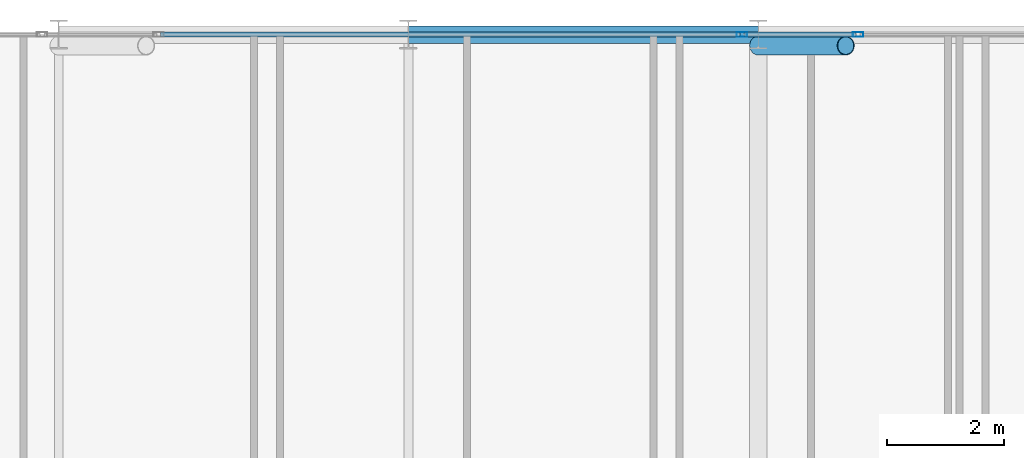
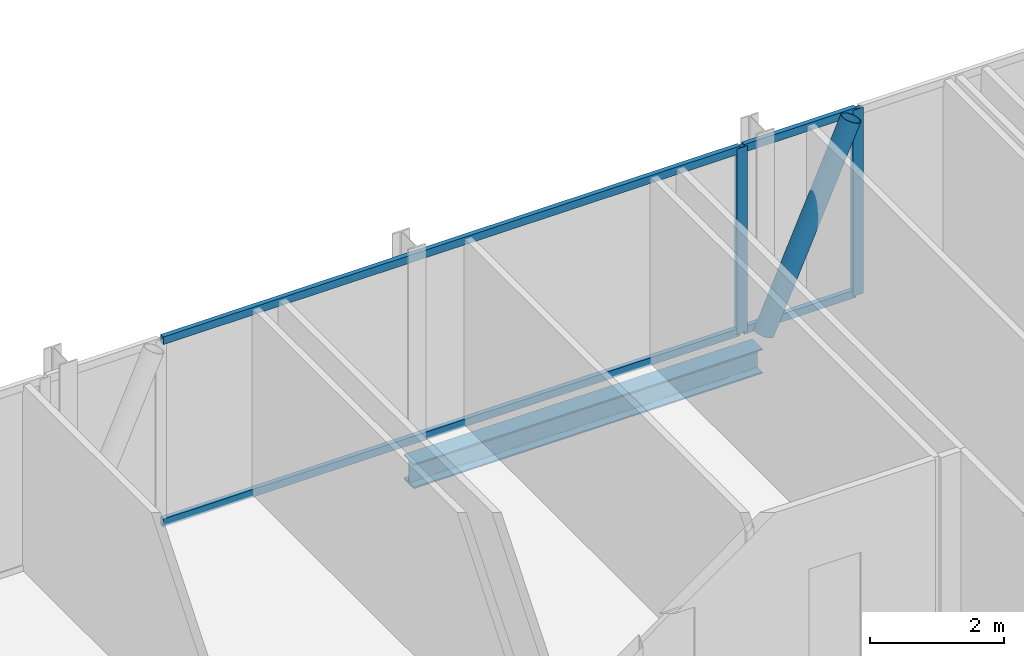
# One storey, part 18 of 32: 7 members, 1 beam, 2 elements without a shape of their own.
"""IFC4 building model written with IfcOpenShell, lengths in metres."""

from ifc_helpers import new_model, si_unit, direction, frame, origin, origin_2d, place, context, subcontext, project, spatial, hollow_rectangle, hollow_circle, i_section, extrude, material, layer, layer_set, material_profile, profile_set, type_object, element, aggregate, save


model = new_model("IFC4")

# Units and contexts
model_context = context("Model", 3, precision=1e-05, world=origin(), true_north=direction((0.0, 1.0)))
body_context = subcontext(model_context, "Body", "Model", "MODEL_VIEW")
ifc_project = project(units=[si_unit("LENGTHUNIT", "METRE"), si_unit("AREAUNIT", "SQUARE_METRE"), si_unit("VOLUMEUNIT", "CUBIC_METRE"), si_unit("PLANEANGLEUNIT", "RADIAN"), si_unit("MASSUNIT", "GRAM", prefix="KILO")], contexts=[model_context])

# Site, building, storey
site_placement = place(None, origin())
site = spatial("IfcSite", under=ifc_project, at=site_placement, CompositionType="ELEMENT")
building_placement = place(site_placement, origin())
building = spatial("IfcBuilding", under=site, at=building_placement, Name="Keshet Zoharim Tower", CompositionType="ELEMENT")
storey_placement = place(building_placement, frame((0.0, 0.0, 137.199951171875)))
storey = spatial("IfcBuildingStorey", under=building, at=storey_placement, Name="L33", CompositionType="ELEMENT", Elevation=137.199951171875)

# Beam
ifc_material_1 = material(Name="Steel S355", Category="steel")
ifc_material_profile_1 = material_profile(ifc_material_1, i_section(OverallWidth=0.300048828125, OverallDepth=0.449951171875, WebThickness=0.013916015625, FlangeThickness=0.02587890625, FilletRadius=0.027099609375, at=origin_2d()), Name="HEB450")
ifc_profile_set_1 = profile_set([ifc_material_profile_1], Name="Steel S355")
beam_type = type_object("IfcBeamType", Name="BM-WEB-HB450", PredefinedType="BEAM", material=ifc_profile_set_1)
beam_placement = place(storey_placement, frame((27.0, 53.89990234375, -0.5400390625), z_axis=(1.0, 0.0, 0.0), x_axis=(0.0, 1.0, 0.0)))
element("IfcBeam", 1, at=beam_placement, inside=storey, type_object=beam_type, Name="L33 Primary Girder X-021", PredefinedType="BEAM", context=body_context, shape_type="SweptSolid", body=[
    extrude(i_section(OverallWidth=0.300048828125, OverallDepth=0.449951171875, WebThickness=0.013916015625, FlangeThickness=0.02587890625, FilletRadius=0.027099609375, at=origin_2d()), origin(), (0.0, 0.0, 1.0), 6.0),
])

# Curtain wall, member
ifc_material_2 = material(Name="Aluminium 6063-T6", Category="aluminium")
ifc_layer = layer(ifc_material_2, 0.159912109375)
ifc_layer_set = layer_set([ifc_layer], Name="Aluminium 6063-T6")
curtain_wall_type = type_object("IfcCurtainWallType", Name="CW-SYS-03", PredefinedType="NOTDEFINED", material=ifc_layer_set)
curtain_wall_1_placement = place(storey_placement, origin())
curtain_wall_1 = element("IfcCurtainWall", 2, at=curtain_wall_1_placement, inside=storey, type_object=curtain_wall_type, Name="L33 Unitised Curtain Wall 13 Part 3", PredefinedType="NOTDEFINED")
ifc_material_profile_2 = material_profile(ifc_material_2, hollow_rectangle(XDim=0.080078125, YDim=0.179931640625, WallThickness=0.00439453125, at=origin_2d()), Name="MUL-80x180")
ifc_profile_set_2 = profile_set([ifc_material_profile_2], Name="Aluminium 6063-T6")
member_type_1 = type_object("IfcMemberType", Name="CWM-M18", PredefinedType="MULLION", material=ifc_profile_set_2)
member_1_placement = place(storey_placement, frame((32.716796875, 53.89990234375, 0.0), z_axis=(0.0, 0.0, 1.0), x_axis=(0.0, 1.0, 0.0)))
member_1 = element("IfcMember", 3, at=member_1_placement, type_object=member_type_1, Name="CW-03 mullion 2", PredefinedType="MULLION", context=body_context, shape_type="SweptSolid", body=[
    extrude(hollow_rectangle(XDim=0.080078125, YDim=0.179931640625, WallThickness=0.00439453125, at=origin_2d()), origin(), (0.0, 0.0, 1.0), 3.385009765625),
])

curtain_wall_2_placement = place(storey_placement, origin())
curtain_wall_2 = element("IfcCurtainWall", 4, at=curtain_wall_2_placement, inside=storey, type_object=curtain_wall_type, Name="L33 Unitised Curtain Wall 13 Part 4", PredefinedType="NOTDEFINED")
member_2_placement = place(storey_placement, frame((34.713134765625, 53.89990234375, 0.0), z_axis=(0.0, 0.0, 1.0), x_axis=(0.0, 1.0, 0.0)))
member_2 = element("IfcMember", 5, at=member_2_placement, type_object=member_type_1, Name="CW-03 mullion 2", PredefinedType="MULLION", context=body_context, shape_type="SweptSolid", body=[
    extrude(hollow_rectangle(XDim=0.080078125, YDim=0.179931640625, WallThickness=0.00439453125, at=origin_2d()), origin(), (0.0, 0.0, 1.0), 3.385009765625),
])

# Member
ifc_material_profile_3 = material_profile(ifc_material_2, hollow_rectangle(XDim=0.080078125, YDim=0.139892578125, WallThickness=0.00390625, at=origin_2d()), Name="TRN-80x140")
ifc_profile_set_3 = profile_set([ifc_material_profile_3], Name="Aluminium 6063-T6")
member_type_2 = type_object("IfcMemberType", Name="CWT-T14", PredefinedType="USERDEFINED", material=ifc_profile_set_3)
member_3_placement = place(storey_placement, frame((22.748046875, 53.89990234375, 0.03515625), z_axis=(1.0, 0.0, 0.0), x_axis=(0.0, 1.0, 0.0)))
member_3 = element("IfcMember", 6, at=member_3_placement, type_object=member_type_2, Name="CW-03 transom 1.1", ObjectType="TRANSOM", PredefinedType="USERDEFINED", context=body_context, shape_type="SweptSolid", body=[
    extrude(hollow_rectangle(XDim=0.080078125, YDim=0.139892578125, WallThickness=0.00390625, at=origin_2d()), origin(), (0.0, 0.0, 1.0), 9.933837890625),
])

member_4_placement = place(storey_placement, frame((22.748046875, 53.89990234375, 3.35009765625), z_axis=(1.0, 0.0, 0.0), x_axis=(0.0, 1.0, 0.0)))
member_4 = element("IfcMember", 7, at=member_4_placement, type_object=member_type_2, Name="CW-03 transom 1.2", ObjectType="TRANSOM", PredefinedType="USERDEFINED", context=body_context, shape_type="SweptSolid", body=[
    extrude(hollow_rectangle(XDim=0.080078125, YDim=0.139892578125, WallThickness=0.00390625, at=origin_2d()), origin(), (0.0, 0.0, 1.0), 9.933837890625),
])

aggregate(curtain_wall_1, [member_1, member_3, member_4])

member_5_placement = place(storey_placement, frame((32.751953125, 53.89990234375, 0.03515625), z_axis=(1.0, 0.0, 0.0), x_axis=(0.0, 1.0, 0.0)))
member_5 = element("IfcMember", 8, at=member_5_placement, type_object=member_type_2, Name="CW-03 transom 1.1", ObjectType="TRANSOM", PredefinedType="USERDEFINED", context=body_context, shape_type="SweptSolid", body=[
    extrude(hollow_rectangle(XDim=0.080078125, YDim=0.139892578125, WallThickness=0.00390625, at=origin_2d()), origin(), (0.0, 0.0, 1.0), 1.926025390625),
])

member_6_placement = place(storey_placement, frame((32.751953125, 53.89990234375, 3.35009765625), z_axis=(1.0, 0.0, 0.0), x_axis=(0.0, 1.0, 0.0)))
member_6 = element("IfcMember", 9, at=member_6_placement, type_object=member_type_2, Name="CW-03 transom 1.2", ObjectType="TRANSOM", PredefinedType="USERDEFINED", context=body_context, shape_type="SweptSolid", body=[
    extrude(hollow_rectangle(XDim=0.080078125, YDim=0.139892578125, WallThickness=0.00390625, at=origin_2d()), origin(), (0.0, 0.0, 1.0), 1.926025390625),
])

aggregate(curtain_wall_2, [member_2, member_5, member_6])

ifc_material_profile_4 = material_profile(ifc_material_1, hollow_circle(Radius=0.161865234375, WallThickness=0.012451171875, at=origin_2d()), Name="CHS323x12.5")
ifc_profile_set_4 = profile_set([ifc_material_profile_4], Name="Steel S355")
member_type_3 = type_object("IfcMemberType", Name="MB-BR-C323", PredefinedType="BRACE", material=ifc_profile_set_4)
member_7_placement = place(storey_placement, frame((33.0, 53.7099609375, 0.0), z_axis=(0.405134846829, 0.0, 0.91425694194), x_axis=(0.0, 1.0, 0.0)))
element("IfcMember", 10, at=member_7_placement, inside=storey, type_object=member_type_3, Name="L33 Perimeter Tube Brace 03", PredefinedType="BRACE", context=body_context, shape_type="SweptSolid", body=[
    extrude(hollow_circle(Radius=0.161865234375, WallThickness=0.012451171875, at=origin_2d()), origin(), (0.0, 0.0, 1.0), 3.702392578125),
])

save(model, "model.ifc")
